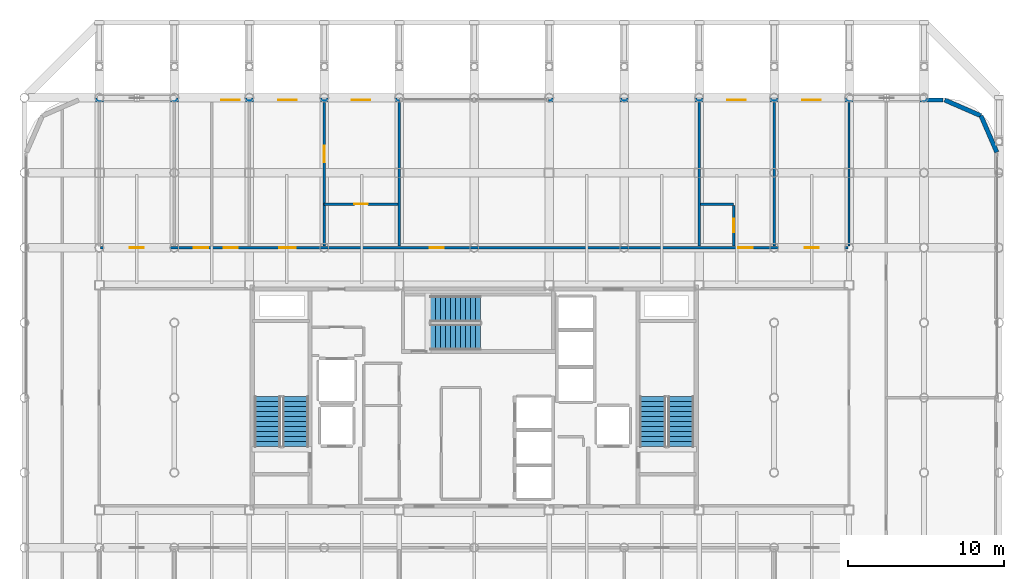
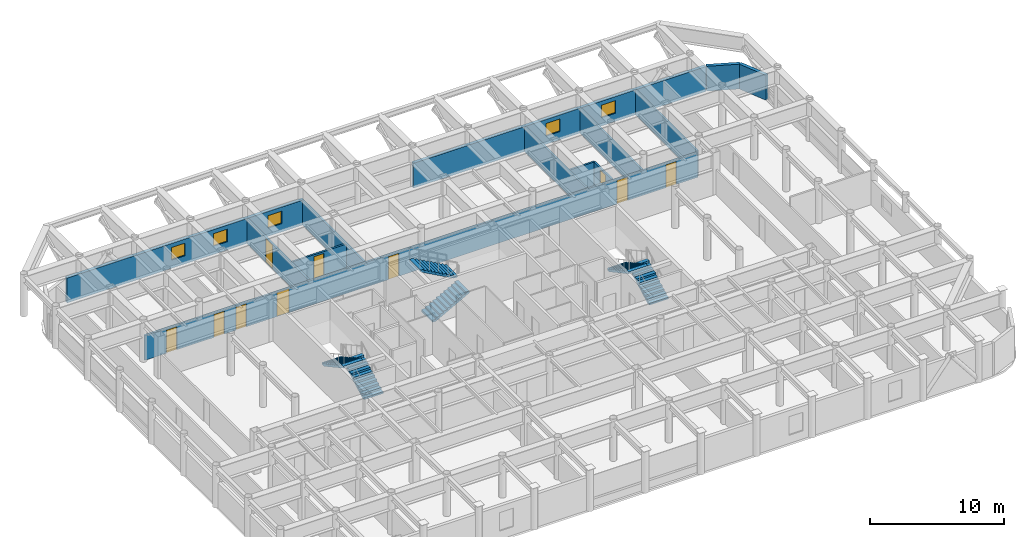
# One storey, part 23 of 24: 13 walls, 10 doors, 6 stair flights, 5 windows, 15 openings, 3 elements without a shape of their own.
"""IFC4 building model written with IfcOpenShell, lengths in metres."""

from ifc_helpers import new_model, si_unit, direction, frame, frame_2d, origin, place, context, subcontext, project, spatial, polyline, rectangle, outline, extrude, material, layer, layer_set, type_object, element, fill, aggregate, save


model = new_model("IFC4")

# Units and contexts
model_context = context("Model", 3, precision=1e-05, world=origin(), true_north=direction((0.0, 1.0)))
body_context = subcontext(model_context, "Body", "Model", "MODEL_VIEW")
ifc_project = project(units=[si_unit("LENGTHUNIT", "METRE"), si_unit("AREAUNIT", "SQUARE_METRE"), si_unit("VOLUMEUNIT", "CUBIC_METRE"), si_unit("PLANEANGLEUNIT", "RADIAN"), si_unit("MASSUNIT", "GRAM", prefix="KILO")], contexts=[model_context])

# Site, building, storey
site_placement = place(None, origin())
site = spatial("IfcSite", under=ifc_project, at=site_placement, CompositionType="ELEMENT")
building_placement = place(site_placement, origin())
building = spatial("IfcBuilding", under=site, at=building_placement, Name="Kallvorn Hotel Tower", CompositionType="ELEMENT")
storey_placement = place(building_placement, frame((0.0, 0.0, 218.449951171875)))
storey = spatial("IfcBuildingStorey", under=building, at=storey_placement, Name="L54", CompositionType="ELEMENT", Elevation=218.449951171875)

# Wall, openings, doors
ifc_material_1 = material(Name="Fire-rated double-layer acoustic gypsum drywall EI 60")
ifc_layer_1 = layer(ifc_material_1, 0.159912109375)
ifc_layer_set_1 = layer_set([ifc_layer_1], Name="WL_DEMISE_160")
wall_type_1 = type_object("IfcWallType", Name="WL_DEMISE_160", PredefinedType="PARTITIONING", material=ifc_layer_set_1)
wall_1_placement = place(storey_placement, frame((-23.919921875, 9.60009765625, 0.0), z_axis=(0.0, 0.0, 1.0), x_axis=(1.0, 0.0, 0.0)))
wall_1 = element("IfcWall", 1, at=wall_1_placement, inside=storey, type_object=wall_type_1, Name="L54 Suite 5401 Junior Living Salon Partition", PredefinedType="PARTITIONING", context=body_context, shape_type="SweptSolid", body=[
    extrude(rectangle(XDim=47.83984375, YDim=0.159912109375, at=frame_2d((23.919921875, 0.0))), origin(), (0.0, 0.0, 1.0), 2.27001953125),
])
opening_1_placement = place(wall_1_placement, frame((1.8701171875, 0.0, 0.0)))
opening_1 = element("IfcOpeningElement", 2, at=opening_1_placement, cuts=wall_1, Name="Opening SVD1", PredefinedType="OPENING", context=body_context, shape_type="SweptSolid", body=[
    extrude(rectangle(XDim=0.89990234375, YDim=2.10009765625, at=frame_2d((0.449951171875, 1.050048828125))), frame((0.0, 0.094970703125, 0.0), z_axis=(0.0, -1.0, 0.0), x_axis=(1.0, 0.0, 0.0)), (0.0, 0.0, 1.0), 0.18994140625),
])
opening_2_placement = place(wall_1_placement, frame((45.070068359375, 0.0, 0.0)))
opening_2 = element("IfcOpeningElement", 3, at=opening_2_placement, cuts=wall_1, Name="Opening SVD1", PredefinedType="OPENING", context=body_context, shape_type="SweptSolid", body=[
    extrude(rectangle(XDim=0.89990234375, YDim=2.10009765625, at=frame_2d((0.449951171875, 1.050048828125))), frame((0.0, 0.094970703125, 0.0), z_axis=(0.0, -1.0, 0.0), x_axis=(1.0, 0.0, 0.0)), (0.0, 0.0, 1.0), 0.18994140625),
])
opening_3_placement = place(wall_1_placement, frame((5.97998046875, 0.0, 0.0)))
opening_3 = element("IfcOpeningElement", 4, at=opening_3_placement, cuts=wall_1, Name="Opening SVD1", PredefinedType="OPENING", context=body_context, shape_type="SweptSolid", body=[
    extrude(rectangle(XDim=0.89990234375, YDim=2.10009765625, at=frame_2d((0.449951171875, 1.050048828125))), frame((0.0, 0.094970703125, 0.0), z_axis=(0.0, -1.0, 0.0), x_axis=(1.0, 0.0, 0.0)), (0.0, 0.0, 1.0), 0.18994140625),
])
opening_4_placement = place(wall_1_placement, frame((7.8701171875, 0.0, 0.0)))
opening_4 = element("IfcOpeningElement", 5, at=opening_4_placement, cuts=wall_1, Name="Opening SVD1", PredefinedType="OPENING", context=body_context, shape_type="SweptSolid", body=[
    extrude(rectangle(XDim=0.89990234375, YDim=2.10009765625, at=frame_2d((0.449951171875, 1.050048828125))), frame((0.0, 0.094970703125, 0.0), z_axis=(0.0, -1.0, 0.0), x_axis=(1.0, 0.0, 0.0)), (0.0, 0.0, 1.0), 0.18994140625),
])
opening_5_placement = place(wall_1_placement, frame((11.43505859375, 0.0, 0.0)))
opening_5 = element("IfcOpeningElement", 6, at=opening_5_placement, cuts=wall_1, Name="Opening GD2", PredefinedType="OPENING", context=body_context, shape_type="SweptSolid", body=[
    extrude(rectangle(XDim=1.050048828125, YDim=2.199951171875, at=frame_2d((0.52490234375, 1.10009765625))), frame((0.0, 0.094970703125, 0.0), z_axis=(0.0, -1.0, 0.0), x_axis=(1.0, 0.0, 0.0)), (0.0, 0.0, 1.0), 0.18994140625),
])
opening_6_placement = place(wall_1_placement, frame((21.070068359375, 0.0, 0.0)))
opening_6 = element("IfcOpeningElement", 7, at=opening_6_placement, cuts=wall_1, Name="Opening SVD1", PredefinedType="OPENING", context=body_context, shape_type="SweptSolid", body=[
    extrude(rectangle(XDim=0.89990234375, YDim=2.10009765625, at=frame_2d((0.449951171875, 1.050048828125))), frame((0.0, 0.094970703125, 0.0), z_axis=(0.0, -1.0, 0.0), x_axis=(1.0, 0.0, 0.0)), (0.0, 0.0, 1.0), 0.18994140625),
])
opening_7_placement = place(wall_1_placement, frame((40.830078125, 0.0, 0.0)))
opening_7 = element("IfcOpeningElement", 8, at=opening_7_placement, cuts=wall_1, Name="Opening GD1", PredefinedType="OPENING", context=body_context, shape_type="SweptSolid", body=[
    extrude(rectangle(XDim=0.919921875, YDim=2.14990234375, at=frame_2d((0.4599609375, 1.074951171875))), frame((0.0, 0.094970703125, 0.0), z_axis=(0.0, -1.0, 0.0), x_axis=(1.0, 0.0, 0.0)), (0.0, 0.0, 1.0), 0.18994140625),
])
ifc_material_2 = material(Name="Solid-core walnut veneer fire-rated timber door leaf", Category="wood")
door_type_1 = type_object("IfcDoorType", Name="DR_GUEST_920x2150", OperationType="NOTDEFINED", PredefinedType="DOOR", material=ifc_material_2)
door_1_placement = place(opening_7_placement, origin())
door_1 = element("IfcDoor", 9, at=door_1_placement, inside=storey, type_object=door_type_1, Name="L54 Suite 5402 Standard Twin Room Door", OperationType="SINGLE_SWING_LEFT", OverallHeight=2.14990234375, OverallWidth=0.919921875, PredefinedType="DOOR", context=body_context, shape_type="SweptSolid", body=[
    extrude(rectangle(XDim=0.919921875, YDim=2.14990234375, at=frame_2d((0.4599609375, 1.074951171875))), frame((0.0, 0.02490234375, 0.0), z_axis=(0.0, -1.0, 0.0), x_axis=(1.0, 0.0, 0.0)), (0.0, 0.0, 1.0), 0.050048828125),
])
fill(opening_7, door_1)
ifc_material_3 = material(Name="Galvanised painted steel fire-rated door assembly", Category="steel")
door_type_2 = type_object("IfcDoorType", Name="DR_SERV_900x2100", OperationType="NOTDEFINED", PredefinedType="DOOR", material=ifc_material_3)
door_2_placement = place(opening_1_placement, origin())
door_2 = element("IfcDoor", 10, at=door_2_placement, inside=storey, type_object=door_type_2, Name="L54 L54 High-Zone North-West Reading Salon Door", OperationType="SINGLE_SWING_RIGHT", OverallHeight=2.10009765625, OverallWidth=0.89990234375, PredefinedType="DOOR", context=body_context, shape_type="SweptSolid", body=[
    extrude(rectangle(XDim=0.89990234375, YDim=2.10009765625, at=frame_2d((0.449951171875, 1.050048828125))), frame((0.0, 0.02490234375, 0.0), z_axis=(0.0, -1.0, 0.0), x_axis=(1.0, 0.0, 0.0)), (0.0, 0.0, 1.0), 0.050048828125),
])
fill(opening_1, door_2)
door_3_placement = place(opening_2_placement, origin())
door_3 = element("IfcDoor", 11, at=door_3_placement, inside=storey, type_object=door_type_2, Name="L54 L54 High-Zone North-East Pastry Bar Door", OperationType="SINGLE_SWING_LEFT", OverallHeight=2.10009765625, OverallWidth=0.89990234375, PredefinedType="DOOR", context=body_context, shape_type="SweptSolid", body=[
    extrude(rectangle(XDim=0.89990234375, YDim=2.10009765625, at=frame_2d((0.449951171875, 1.050048828125))), frame((0.0, 0.02490234375, 0.0), z_axis=(0.0, -1.0, 0.0), x_axis=(1.0, 0.0, 0.0)), (0.0, 0.0, 1.0), 0.050048828125),
])
fill(opening_2, door_3)
door_4_placement = place(opening_3_placement, origin())
door_4 = element("IfcDoor", 12, at=door_4_placement, inside=storey, type_object=door_type_2, Name="L54 Housekeeping and Linen Room Door", OperationType="SINGLE_SWING_LEFT", OverallHeight=2.10009765625, OverallWidth=0.89990234375, PredefinedType="DOOR", context=body_context, shape_type="SweptSolid", body=[
    extrude(rectangle(XDim=0.89990234375, YDim=2.10009765625, at=frame_2d((0.449951171875, 1.050048828125))), frame((0.0, 0.02490234375, 0.0), z_axis=(0.0, -1.0, 0.0), x_axis=(1.0, 0.0, 0.0)), (0.0, 0.0, 1.0), 0.050048828125),
])
fill(opening_3, door_4)
door_5_placement = place(opening_4_placement, origin())
door_5 = element("IfcDoor", 13, at=door_5_placement, inside=storey, type_object=door_type_2, Name="L54 Guest Tea and Refreshment Bar Door", OperationType="SINGLE_SWING_RIGHT", OverallHeight=2.10009765625, OverallWidth=0.89990234375, PredefinedType="DOOR", context=body_context, shape_type="SweptSolid", body=[
    extrude(rectangle(XDim=0.89990234375, YDim=2.10009765625, at=frame_2d((0.449951171875, 1.050048828125))), frame((0.0, 0.02490234375, 0.0), z_axis=(0.0, -1.0, 0.0), x_axis=(1.0, 0.0, 0.0)), (0.0, 0.0, 1.0), 0.050048828125),
])
fill(opening_4, door_5)
door_6_placement = place(opening_6_placement, origin())
door_6 = element("IfcDoor", 14, at=door_6_placement, inside=storey, type_object=door_type_2, Name="L54 L54 Panorama Banquet Event Hall 3 Door", OperationType="SINGLE_SWING_RIGHT", OverallHeight=2.10009765625, OverallWidth=0.89990234375, PredefinedType="DOOR", context=body_context, shape_type="SweptSolid", body=[
    extrude(rectangle(XDim=0.89990234375, YDim=2.10009765625, at=frame_2d((0.449951171875, 1.050048828125))), frame((0.0, 0.02490234375, 0.0), z_axis=(0.0, -1.0, 0.0), x_axis=(1.0, 0.0, 0.0)), (0.0, 0.0, 1.0), 0.050048828125),
])
fill(opening_6, door_6)
ifc_material_4 = material(Name="Solid-core walnut veneer fire-rated timber door leaf", Category="wood")
door_type_3 = type_object("IfcDoorType", Name="DR_SUITE_1050x2200", OperationType="NOTDEFINED", PredefinedType="DOOR", material=ifc_material_4)
door_7_placement = place(opening_5_placement, origin())
door_7 = element("IfcDoor", 15, at=door_7_placement, inside=storey, type_object=door_type_3, Name="L54 Suite 5401 Junior Living Salon Door", OperationType="SINGLE_SWING_LEFT", OverallHeight=2.199951171875, OverallWidth=1.050048828125, PredefinedType="DOOR", context=body_context, shape_type="SweptSolid", body=[
    extrude(rectangle(XDim=1.050048828125, YDim=2.199951171875, at=frame_2d((0.52490234375, 1.10009765625))), frame((0.0, 0.02490234375, 0.0), z_axis=(0.0, -1.0, 0.0), x_axis=(1.0, 0.0, 0.0)), (0.0, 0.0, 1.0), 0.050048828125),
])
fill(opening_5, door_7)

# Wall, opening, door
wall_2_placement = place(storey_placement, frame((-9.60009765625, 12.39501953125, 0.0), z_axis=(0.0, 0.0, 1.0), x_axis=(1.0, 0.0, 0.0)))
wall_2 = element("IfcWall", 16, at=wall_2_placement, inside=storey, type_object=wall_type_1, Name="L54 Suite 5401 Junior Bedroom Partition", PredefinedType="PARTITIONING", context=body_context, shape_type="SweptSolid", body=[
    extrude(rectangle(XDim=4.72021484375, YDim=0.159912109375, at=frame_2d((2.360107421875, 0.0))), origin(), (0.0, 0.0, 1.0), 2.27001953125),
])
opening_8_placement = place(wall_2_placement, frame((1.929931640625, 0.0, 0.0)))
opening_8 = element("IfcOpeningElement", 17, at=opening_8_placement, cuts=wall_2, Name="Opening BD-I", PredefinedType="OPENING", context=body_context, shape_type="SweptSolid", body=[
    extrude(rectangle(XDim=0.860107421875, YDim=2.10009765625, at=frame_2d((0.43017578125, 1.050048828125))), frame((0.0, 0.094970703125, 0.0), z_axis=(0.0, -1.0, 0.0), x_axis=(1.0, 0.0, 0.0)), (0.0, 0.0, 1.0), 0.18994140625),
])
ifc_material_5 = material(Name="Solid-core walnut veneer fire-rated timber door leaf", Category="wood")
door_type_4 = type_object("IfcDoorType", Name="DR_BATH_860x2100", OperationType="NOTDEFINED", PredefinedType="DOOR", material=ifc_material_5)
door_8_placement = place(opening_8_placement, origin())
door_8 = element("IfcDoor", 18, at=door_8_placement, inside=storey, type_object=door_type_4, Name="L54 Suite 5401 En-Suite Bathroom Door", OperationType="SINGLE_SWING_LEFT", OverallHeight=2.10009765625, OverallWidth=0.860107421875, PredefinedType="DOOR", context=body_context, shape_type="SweptSolid", body=[
    extrude(rectangle(XDim=0.860107421875, YDim=2.10009765625, at=frame_2d((0.43017578125, 1.050048828125))), frame((0.0, 0.02490234375, 0.0), z_axis=(0.0, -1.0, 0.0), x_axis=(1.0, 0.0, 0.0)), (0.0, 0.0, 1.0), 0.050048828125),
])
fill(opening_8, door_8)

# Wall
wall_3_placement = place(storey_placement, frame((14.47998046875, 12.39501953125, 0.0), z_axis=(0.0, 0.0, 1.0), x_axis=(1.0, 0.0, 0.0)))
element("IfcWall", 19, at=wall_3_placement, inside=storey, type_object=wall_type_1, Name="L54 Suite 5402 Standard Twin Room Partition", PredefinedType="PARTITIONING", context=body_context, shape_type="SweptSolid", body=[
    extrude(rectangle(XDim=2.130126953125, YDim=0.159912109375, at=frame_2d((1.06494140625, 0.0))), origin(), (0.0, 0.0, 1.0), 2.27001953125),
])

# Wall, opening, door
wall_4_placement = place(storey_placement, frame((-9.60009765625, 9.719970703125, 0.0), z_axis=(0.0, 0.0, 1.0), x_axis=(0.0, 1.0, 0.0)))
wall_4 = element("IfcWall", 20, at=wall_4_placement, inside=storey, type_object=wall_type_1, Name="L54 Suite 5401 Junior Living Salon Partition", PredefinedType="PARTITIONING", context=body_context, shape_type="SweptSolid", body=[
    extrude(rectangle(XDim=9.18994140625, YDim=0.159912109375, at=frame_2d((4.594970703125, 0.0))), origin(), (0.0, 0.0, 1.0), 2.27001953125),
])
opening_9_placement = place(wall_4_placement, frame((5.364990234375, 0.0, 0.0)))
opening_9 = element("IfcOpeningElement", 21, at=opening_9_placement, cuts=wall_4, Name="Opening GD2", PredefinedType="OPENING", context=body_context, shape_type="SweptSolid", body=[
    extrude(rectangle(XDim=1.050048828125, YDim=2.199951171875, at=frame_2d((0.52490234375, 1.10009765625))), frame((0.0, 0.094970703125, 0.0), z_axis=(0.0, -1.0, 0.0), x_axis=(1.0, 0.0, 0.0)), (0.0, 0.0, 1.0), 0.18994140625),
])
door_9_placement = place(opening_9_placement, origin())
door_9 = element("IfcDoor", 22, at=door_9_placement, inside=storey, type_object=door_type_3, Name="L54 Suite 5401 Junior Bedroom Door", OperationType="SINGLE_SWING_RIGHT", OverallHeight=2.199951171875, OverallWidth=1.050048828125, PredefinedType="DOOR", context=body_context, shape_type="SweptSolid", body=[
    extrude(rectangle(XDim=1.050048828125, YDim=2.199951171875, at=frame_2d((0.52490234375, 1.10009765625))), frame((0.0, 0.02490234375, 0.0), z_axis=(0.0, -1.0, 0.0), x_axis=(1.0, 0.0, 0.0)), (0.0, 0.0, 1.0), 0.050048828125),
])
fill(opening_9, door_9)

# Walls
for number, where, z_axis, x_axis, name in (
    (23, (-4.800048828125, 9.719970703125, 0.0), (0.0, 0.0, 1.0), (0.0, 1.0, 0.0), "L54 Suite 5401 Junior Bedroom Partition"),
    (24, (14.39990234375, 9.719970703125, 0.0), (0.0, 0.0, 1.0), (0.0, 1.0, 0.0), "L54 Suite 5402 Standard Twin Room Partition"),
):
    element("IfcWall", number, at=place(storey_placement, frame(where, z_axis=z_axis, x_axis=x_axis)), inside=storey, type_object=wall_type_1, Name=name, PredefinedType="PARTITIONING", context=body_context, shape_type="SweptSolid", body=[
        extrude(rectangle(XDim=9.18994140625, YDim=0.159912109375, at=frame_2d((4.594970703125, 0.0))), origin(), (0.0, 0.0, 1.0), 2.27001953125),
    ])

# Wall, opening, door
wall_5_placement = place(storey_placement, frame((16.610107421875, 9.719970703125, 0.0), z_axis=(0.0, 0.0, 1.0), x_axis=(0.0, 1.0, 0.0)))
wall_5 = element("IfcWall", 25, at=wall_5_placement, inside=storey, type_object=wall_type_1, Name="L54 Suite 5402 Standard Twin Room Partition", PredefinedType="PARTITIONING", context=body_context, shape_type="SweptSolid", body=[
    extrude(rectangle(XDim=2.590087890625, YDim=0.159912109375, at=frame_2d((1.294921875, 0.0))), origin(), (0.0, 0.0, 1.0), 2.27001953125),
])
opening_10_placement = place(wall_5_placement, frame((0.8701171875, 0.0, 0.0)))
opening_10 = element("IfcOpeningElement", 26, at=opening_10_placement, cuts=wall_5, Name="Opening BD-I", PredefinedType="OPENING", context=body_context, shape_type="SweptSolid", body=[
    extrude(rectangle(XDim=0.860107421875, YDim=2.10009765625, at=frame_2d((0.43017578125, 1.050048828125))), frame((0.0, 0.094970703125, 0.0), z_axis=(0.0, -1.0, 0.0), x_axis=(1.0, 0.0, 0.0)), (0.0, 0.0, 1.0), 0.18994140625),
])
door_10_placement = place(opening_10_placement, origin())
door_10 = element("IfcDoor", 27, at=door_10_placement, inside=storey, type_object=door_type_4, Name="L54 Suite 5402 En-Suite Bathroom Door", OperationType="SINGLE_SWING_RIGHT", OverallHeight=2.10009765625, OverallWidth=0.860107421875, PredefinedType="DOOR", context=body_context, shape_type="SweptSolid", body=[
    extrude(rectangle(XDim=0.860107421875, YDim=2.10009765625, at=frame_2d((0.43017578125, 1.050048828125))), frame((0.0, 0.02490234375, 0.0), z_axis=(0.0, -1.0, 0.0), x_axis=(1.0, 0.0, 0.0)), (0.0, 0.0, 1.0), 0.050048828125),
])
fill(opening_10, door_10)

# Walls
wall_6_placement = place(storey_placement, frame((19.199951171875, 9.719970703125, 0.0), z_axis=(0.0, 0.0, 1.0), x_axis=(0.0, 1.0, 0.0)))
element("IfcWall", 28, at=wall_6_placement, inside=storey, type_object=wall_type_1, Name="L54 Suite 5402 Standard Twin Room Partition", PredefinedType="PARTITIONING", context=body_context, shape_type="SweptSolid", body=[
    extrude(rectangle(XDim=9.18994140625, YDim=0.159912109375, at=frame_2d((4.594970703125, 0.0))), origin(), (0.0, 0.0, 1.0), 2.27001953125),
])
ifc_material_6 = material(Name="Precast basalt-clad insulated concrete wall C40/50", Category="masonry")
ifc_layer_2 = layer(ifc_material_6, 0.280029296875)
ifc_layer_set_2 = layer_set([ifc_layer_2], Name="WL_EXT_LOGGIA_280")
wall_type_2 = type_object("IfcWallType", Name="WL_EXT_LOGGIA_280", PredefinedType="SOLIDWALL", material=ifc_layer_set_2)
wall_7_placement = place(storey_placement, frame((33.4580078125, 15.720703125, 0.0), z_axis=(0.0, 0.0, 1.0), x_axis=(-0.398792985289, 0.917040977756, 0.0)))
element("IfcWall", 29, at=wall_7_placement, inside=storey, type_object=wall_type_2, Name="L54 Rounded Corner Exterior Wall NE1", PredefinedType="SOLIDWALL", context=body_context, shape_type="SweptSolid", body=[
    extrude(rectangle(XDim=2.536376953125, YDim=0.280029296875, at=frame_2d((1.26806640625, 0.0))), origin(), (0.0, 0.0, 1.0), 2.27001953125),
])
wall_8_placement = place(storey_placement, frame((32.446533203125, 18.046630859375, 0.0), z_axis=(0.0, 0.0, 1.0), x_axis=(-0.917060872934, 0.398747232384, 0.0)))
element("IfcWall", 30, at=wall_8_placement, inside=storey, type_object=wall_type_2, Name="L54 Rounded Corner Exterior Wall NE2", PredefinedType="SOLIDWALL", context=body_context, shape_type="SweptSolid", body=[
    extrude(rectangle(XDim=2.5361328125, YDim=0.280029296875, at=frame_2d((1.26806640625, 0.0))), origin(), (0.0, 0.0, 1.0), 2.27001953125),
])

# Wall, openings, windows
wall_9_placement = place(storey_placement, frame((-25.199951171875, 19.06005859375, 0.0), z_axis=(0.0, 0.0, 1.0), x_axis=(1.0, 0.0, 0.0)))
wall_9 = element("IfcWall", 31, at=wall_9_placement, inside=storey, type_object=wall_type_2, Name="L54 Exterior Envelope Wall EW-L54-NW", PredefinedType="SOLIDWALL", context=body_context, shape_type="SweptSolid", body=[
    extrude(rectangle(XDim=20.449951171875, YDim=0.280029296875, at=frame_2d((10.22509765625, 0.0))), origin(), (0.0, 0.0, 1.0), 2.27001953125),
])
opening_11_placement = place(wall_9_placement, frame((9.0, 0.0, 0.75)))
opening_11 = element("IfcOpeningElement", 32, at=opening_11_placement, cuts=wall_9, Name="Opening W06A", PredefinedType="OPENING", context=body_context, shape_type="SweptSolid", body=[
    extrude(rectangle(XDim=1.199951171875, YDim=1.14990234375, at=frame_2d((0.60009765625, 0.574951171875))), frame((0.0, 0.155029296875, 0.0), z_axis=(0.0, -1.0, 0.0), x_axis=(1.0, 0.0, 0.0)), (0.0, 0.0, 1.0), 0.31005859375),
])
opening_12_placement = place(wall_9_placement, frame((12.639892578125, 0.0, 0.75)))
opening_12 = element("IfcOpeningElement", 33, at=opening_12_placement, cuts=wall_9, Name="Opening W06A", PredefinedType="OPENING", context=body_context, shape_type="SweptSolid", body=[
    extrude(rectangle(XDim=1.199951171875, YDim=1.14990234375, at=frame_2d((0.60009765625, 0.574951171875))), frame((0.0, 0.155029296875, 0.0), z_axis=(0.0, -1.0, 0.0), x_axis=(1.0, 0.0, 0.0)), (0.0, 0.0, 1.0), 0.31005859375),
])
opening_13_placement = place(wall_9_placement, frame((17.360107421875, 0.0, 0.75)))
opening_13 = element("IfcOpeningElement", 34, at=opening_13_placement, cuts=wall_9, Name="Opening W06A", PredefinedType="OPENING", context=body_context, shape_type="SweptSolid", body=[
    extrude(rectangle(XDim=1.199951171875, YDim=1.14990234375, at=frame_2d((0.60009765625, 0.574951171875))), frame((0.0, 0.155029296875, 0.0), z_axis=(0.0, -1.0, 0.0), x_axis=(1.0, 0.0, 0.0)), (0.0, 0.0, 1.0), 0.31005859375),
])
ifc_material_7 = material(Name="Triple-glazed low-e acoustic solar-control dark glass", Category="glass")
window_type = type_object("IfcWindowType", Name="WN_HTL_1200x1150", PartitioningType="SINGLE_PANEL", PredefinedType="WINDOW", material=ifc_material_7)
window_1_placement = place(opening_11_placement, origin())
window_1 = element("IfcWindow", 35, at=window_1_placement, inside=storey, type_object=window_type, Name="L54 Guestroom Exterior Window 06", OverallHeight=1.14990234375, OverallWidth=1.199951171875, PartitioningType="SINGLE_PANEL", PredefinedType="WINDOW", context=body_context, shape_type="SweptSolid", body=[
    extrude(rectangle(XDim=1.199951171875, YDim=1.14990234375, at=frame_2d((0.60009765625, 0.574951171875))), frame((0.0, 0.030029296875, 0.0), z_axis=(0.0, -1.0, 0.0), x_axis=(1.0, 0.0, 0.0)), (0.0, 0.0, 1.0), 0.06005859375),
])
fill(opening_11, window_1)
window_2_placement = place(opening_12_placement, origin())
window_2 = element("IfcWindow", 36, at=window_2_placement, inside=storey, type_object=window_type, Name="L54 Guestroom Exterior Window 07", OverallHeight=1.14990234375, OverallWidth=1.199951171875, PartitioningType="SINGLE_PANEL", PredefinedType="WINDOW", context=body_context, shape_type="SweptSolid", body=[
    extrude(rectangle(XDim=1.199951171875, YDim=1.14990234375, at=frame_2d((0.60009765625, 0.574951171875))), frame((0.0, 0.030029296875, 0.0), z_axis=(0.0, -1.0, 0.0), x_axis=(1.0, 0.0, 0.0)), (0.0, 0.0, 1.0), 0.06005859375),
])
fill(opening_12, window_2)
window_3_placement = place(opening_13_placement, origin())
window_3 = element("IfcWindow", 37, at=window_3_placement, inside=storey, type_object=window_type, Name="L54 Guestroom Exterior Window 08", OverallHeight=1.14990234375, OverallWidth=1.199951171875, PartitioningType="SINGLE_PANEL", PredefinedType="WINDOW", context=body_context, shape_type="SweptSolid", body=[
    extrude(rectangle(XDim=1.199951171875, YDim=1.14990234375, at=frame_2d((0.60009765625, 0.574951171875))), frame((0.0, 0.030029296875, 0.0), z_axis=(0.0, -1.0, 0.0), x_axis=(1.0, 0.0, 0.0)), (0.0, 0.0, 1.0), 0.06005859375),
])
fill(opening_13, window_3)

wall_10_placement = place(storey_placement, frame((4.75, 19.06005859375, 0.0), z_axis=(0.0, 0.0, 1.0), x_axis=(1.0, 0.0, 0.0)))
wall_10 = element("IfcWall", 38, at=wall_10_placement, inside=storey, type_object=wall_type_2, Name="L54 Exterior Envelope Wall EW-L54-NE", PredefinedType="SOLIDWALL", context=body_context, shape_type="SweptSolid", body=[
    extrude(rectangle(XDim=25.25, YDim=0.280029296875, at=frame_2d((12.625, 0.0))), origin(), (0.0, 0.0, 1.0), 2.27001953125),
])
opening_14_placement = place(wall_10_placement, frame((16.25, 0.0, 0.75)))
opening_14 = element("IfcOpeningElement", 39, at=opening_14_placement, cuts=wall_10, Name="Opening W06A", PredefinedType="OPENING", context=body_context, shape_type="SweptSolid", body=[
    extrude(rectangle(XDim=1.199951171875, YDim=1.14990234375, at=frame_2d((0.60009765625, 0.574951171875))), frame((0.0, 0.155029296875, 0.0), z_axis=(0.0, -1.0, 0.0), x_axis=(1.0, 0.0, 0.0)), (0.0, 0.0, 1.0), 0.31005859375),
])
opening_15_placement = place(wall_10_placement, frame((11.449951171875, 0.0, 0.75)))
opening_15 = element("IfcOpeningElement", 40, at=opening_15_placement, cuts=wall_10, Name="Opening W06A", PredefinedType="OPENING", context=body_context, shape_type="SweptSolid", body=[
    extrude(rectangle(XDim=1.199951171875, YDim=1.14990234375, at=frame_2d((0.60009765625, 0.574951171875))), frame((0.0, 0.155029296875, 0.0), z_axis=(0.0, -1.0, 0.0), x_axis=(1.0, 0.0, 0.0)), (0.0, 0.0, 1.0), 0.31005859375),
])
window_4_placement = place(opening_14_placement, origin())
window_4 = element("IfcWindow", 41, at=window_4_placement, inside=storey, type_object=window_type, Name="L54 Guestroom Exterior Window 02", OverallHeight=1.14990234375, OverallWidth=1.199951171875, PartitioningType="SINGLE_PANEL", PredefinedType="WINDOW", context=body_context, shape_type="SweptSolid", body=[
    extrude(rectangle(XDim=1.199951171875, YDim=1.14990234375, at=frame_2d((0.60009765625, 0.574951171875))), frame((0.0, 0.030029296875, 0.0), z_axis=(0.0, -1.0, 0.0), x_axis=(1.0, 0.0, 0.0)), (0.0, 0.0, 1.0), 0.06005859375),
])
fill(opening_14, window_4)
window_5_placement = place(opening_15_placement, origin())
window_5 = element("IfcWindow", 42, at=window_5_placement, inside=storey, type_object=window_type, Name="L54 Guestroom Exterior Window 09", OverallHeight=1.14990234375, OverallWidth=1.199951171875, PartitioningType="SINGLE_PANEL", PredefinedType="WINDOW", context=body_context, shape_type="SweptSolid", body=[
    extrude(rectangle(XDim=1.199951171875, YDim=1.14990234375, at=frame_2d((0.60009765625, 0.574951171875))), frame((0.0, 0.030029296875, 0.0), z_axis=(0.0, -1.0, 0.0), x_axis=(1.0, 0.0, 0.0)), (0.0, 0.0, 1.0), 0.06005859375),
])
fill(opening_15, window_5)

# Wall
ifc_material_8 = material(Name="Fire-rated double-layer acoustic gypsum drywall EI 60")
ifc_layer_3 = layer(ifc_material_8, 0.14990234375)
ifc_layer_set_3 = layer_set([ifc_layer_3], Name="WL_PART_150")
wall_type_3 = type_object("IfcWallType", Name="WL_PART_150", PredefinedType="PARTITIONING", material=ifc_layer_set_3)
wall_11_placement = place(storey_placement, frame((24.0, 9.719970703125, 0.0), z_axis=(0.0, 0.0, 1.0), x_axis=(0.0, 1.0, 0.0)))
element("IfcWall", 43, at=wall_11_placement, inside=storey, type_object=wall_type_3, Name="L54 L54 High-Zone North-East Pastry Bar Partition", PredefinedType="PARTITIONING", context=body_context, shape_type="SweptSolid", body=[
    extrude(rectangle(XDim=9.18994140625, YDim=0.14990234375, at=frame_2d((4.594970703125, 0.0))), origin(), (0.0, 0.0, 1.0), 2.27001953125),
])

# Stair, stair flights
ifc_material_9 = material(Name="Precast concrete C40/50", Category="concrete")
stair_type = type_object("IfcStairType", Name="STR_CORE_DOGLEG", PredefinedType="HALF_TURN_STAIR", material=ifc_material_9)
stair_1_placement = place(storey_placement, origin())
stair_1 = element("IfcStair", 44, at=stair_1_placement, inside=storey, type_object=stair_type, Name="L54 Exit stair ST1", PredefinedType="HALF_TURN_STAIR")
ifc_material_10 = material(Name="Precast concrete C40/50", Category="concrete")
stair_flight_type = type_object("IfcStairFlightType", Name="FLT_CORE_1660", PredefinedType="STRAIGHT", material=ifc_material_10)
stair_flight_1_placement = place(storey_placement, frame((-11.429931640625, -3.139892578125, 0.0), z_axis=(0.0, 0.0, 1.0), x_axis=(0.0, 1.0, 0.0)))
stair_flight_1 = element("IfcStairFlight", 45, at=stair_flight_1_placement, type_object=stair_flight_type, Name="ST1 flight 1", NumberOfRisers=11, NumberOfTreads=10, PredefinedType="STRAIGHT", RiserHeight=0.175, TreadLength=0.32, context=body_context, shape_type="SweptSolid", body=[
    extrude(outline(polyline([(0.0, 0.0), (0.0, 0.175048828125), (0.320068359375, 0.175048828125), (0.320068359375, 0.35009765625), (0.639892578125, 0.35009765625), (0.639892578125, 0.52490234375), (0.9599609375, 0.52490234375), (0.9599609375, 0.699951171875), (1.280029296875, 0.699951171875), (1.280029296875, 0.875), (1.60009765625, 0.875), (1.60009765625, 1.050048828125), (1.919921875, 1.050048828125), (1.919921875, 1.22509765625), (2.239990234375, 1.22509765625), (2.239990234375, 1.39990234375), (2.56005859375, 1.39990234375), (2.56005859375, 1.574951171875), (2.8798828125, 1.574951171875), (2.8798828125, 1.75), (3.199951171875, 1.75), (3.199951171875, 1.925048828125), (3.199951171875, 1.5791015625), (0.3125, 0.0), (0.0, 0.0)])), frame((0.0, 0.830078125, 0.0), z_axis=(0.0, -1.0, 0.0), x_axis=(1.0, 0.0, 0.0)), (0.0, 0.0, 1.0), 1.659912109375),
])
stair_flight_2_placement = place(storey_placement, frame((-13.22998046875, 0.06005859375, 1.925048828125), z_axis=(0.0, 0.0, 1.0), x_axis=(0.0, -1.0, 0.0)))
stair_flight_2 = element("IfcStairFlight", 46, at=stair_flight_2_placement, type_object=stair_flight_type, Name="ST1 flight 2", NumberOfRisers=11, NumberOfTreads=10, PredefinedType="STRAIGHT", RiserHeight=0.175, TreadLength=0.32, context=body_context, shape_type="SweptSolid", body=[
    extrude(outline(polyline([(0.0, 0.0), (0.0, 0.175048828125), (0.320068359375, 0.175048828125), (0.320068359375, 0.35009765625), (0.639892578125, 0.35009765625), (0.639892578125, 0.52490234375), (0.9599609375, 0.52490234375), (0.9599609375, 0.699951171875), (1.280029296875, 0.699951171875), (1.280029296875, 0.875), (1.60009765625, 0.875), (1.60009765625, 1.050048828125), (1.919921875, 1.050048828125), (1.919921875, 1.22509765625), (2.239990234375, 1.22509765625), (2.239990234375, 1.39990234375), (2.56005859375, 1.39990234375), (2.56005859375, 1.574951171875), (2.8798828125, 1.574951171875), (2.8798828125, 1.75), (3.199951171875, 1.75), (3.199951171875, 1.925048828125), (3.199951171875, 1.5791015625), (0.3125, 0.0), (0.0, 0.0)])), frame((0.0, 0.830078125, 0.0), z_axis=(0.0, -1.0, 0.0), x_axis=(1.0, 0.0, 0.0)), (0.0, 0.0, 1.0), 1.659912109375),
])
aggregate(stair_1, [stair_flight_1, stair_flight_2])

stair_2_placement = place(storey_placement, origin())
stair_2 = element("IfcStair", 47, at=stair_2_placement, inside=storey, type_object=stair_type, Name="L54 Exit stair ST2", PredefinedType="HALF_TURN_STAIR")
stair_flight_3_placement = place(storey_placement, frame((13.22998046875, -3.139892578125, 0.0), z_axis=(0.0, 0.0, 1.0), x_axis=(0.0, 1.0, 0.0)))
stair_flight_3 = element("IfcStairFlight", 48, at=stair_flight_3_placement, type_object=stair_flight_type, Name="ST2 flight 1", NumberOfRisers=11, NumberOfTreads=10, PredefinedType="STRAIGHT", RiserHeight=0.175, TreadLength=0.32, context=body_context, shape_type="SweptSolid", body=[
    extrude(outline(polyline([(0.0, 0.0), (0.0, 0.175048828125), (0.320068359375, 0.175048828125), (0.320068359375, 0.35009765625), (0.639892578125, 0.35009765625), (0.639892578125, 0.52490234375), (0.9599609375, 0.52490234375), (0.9599609375, 0.699951171875), (1.280029296875, 0.699951171875), (1.280029296875, 0.875), (1.60009765625, 0.875), (1.60009765625, 1.050048828125), (1.919921875, 1.050048828125), (1.919921875, 1.22509765625), (2.239990234375, 1.22509765625), (2.239990234375, 1.39990234375), (2.56005859375, 1.39990234375), (2.56005859375, 1.574951171875), (2.8798828125, 1.574951171875), (2.8798828125, 1.75), (3.199951171875, 1.75), (3.199951171875, 1.925048828125), (3.199951171875, 1.5791015625), (0.3125, 0.0), (0.0, 0.0)])), frame((0.0, 0.830078125, 0.0), z_axis=(0.0, -1.0, 0.0), x_axis=(1.0, 0.0, 0.0)), (0.0, 0.0, 1.0), 1.659912109375),
])
stair_flight_4_placement = place(storey_placement, frame((11.429931640625, 0.06005859375, 1.925048828125), z_axis=(0.0, 0.0, 1.0), x_axis=(0.0, -1.0, 0.0)))
stair_flight_4 = element("IfcStairFlight", 49, at=stair_flight_4_placement, type_object=stair_flight_type, Name="ST2 flight 2", NumberOfRisers=11, NumberOfTreads=10, PredefinedType="STRAIGHT", RiserHeight=0.175, TreadLength=0.32, context=body_context, shape_type="SweptSolid", body=[
    extrude(outline(polyline([(0.0, 0.0), (0.0, 0.175048828125), (0.320068359375, 0.175048828125), (0.320068359375, 0.35009765625), (0.639892578125, 0.35009765625), (0.639892578125, 0.52490234375), (0.9599609375, 0.52490234375), (0.9599609375, 0.699951171875), (1.280029296875, 0.699951171875), (1.280029296875, 0.875), (1.60009765625, 0.875), (1.60009765625, 1.050048828125), (1.919921875, 1.050048828125), (1.919921875, 1.22509765625), (2.239990234375, 1.22509765625), (2.239990234375, 1.39990234375), (2.56005859375, 1.39990234375), (2.56005859375, 1.574951171875), (2.8798828125, 1.574951171875), (2.8798828125, 1.75), (3.199951171875, 1.75), (3.199951171875, 1.925048828125), (3.199951171875, 1.5791015625), (0.3125, 0.0), (0.0, 0.0)])), frame((0.0, 0.830078125, 0.0), z_axis=(0.0, -1.0, 0.0), x_axis=(1.0, 0.0, 0.0)), (0.0, 0.0, 1.0), 1.659912109375),
])
aggregate(stair_2, [stair_flight_3, stair_flight_4])

stair_3_placement = place(storey_placement, origin())
stair_3 = element("IfcStair", 50, at=stair_3_placement, inside=storey, type_object=stair_type, Name="L54 Exit stair ST3", PredefinedType="HALF_TURN_STAIR")
stair_flight_5_placement = place(storey_placement, frame((-2.7900390625, 3.8798828125, 0.0), z_axis=(0.0, 0.0, 1.0), x_axis=(1.0, 0.0, 0.0)))
stair_flight_5 = element("IfcStairFlight", 51, at=stair_flight_5_placement, type_object=stair_flight_type, Name="ST3 flight 1", NumberOfRisers=11, NumberOfTreads=10, PredefinedType="STRAIGHT", RiserHeight=0.175, TreadLength=0.32, context=body_context, shape_type="SweptSolid", body=[
    extrude(outline(polyline([(0.0, 0.0), (0.0, 0.175048828125), (0.320068359375, 0.175048828125), (0.320068359375, 0.35009765625), (0.639892578125, 0.35009765625), (0.639892578125, 0.52490234375), (0.9599609375, 0.52490234375), (0.9599609375, 0.699951171875), (1.280029296875, 0.699951171875), (1.280029296875, 0.875), (1.60009765625, 0.875), (1.60009765625, 1.050048828125), (1.919921875, 1.050048828125), (1.919921875, 1.22509765625), (2.239990234375, 1.22509765625), (2.239990234375, 1.39990234375), (2.56005859375, 1.39990234375), (2.56005859375, 1.574951171875), (2.8798828125, 1.574951171875), (2.8798828125, 1.75), (3.199951171875, 1.75), (3.199951171875, 1.925048828125), (3.199951171875, 1.5791015625), (0.3125, 0.0), (0.0, 0.0)])), frame((0.0, 0.830078125, 0.0), z_axis=(0.0, -1.0, 0.0), x_axis=(1.0, 0.0, 0.0)), (0.0, 0.0, 1.0), 1.659912109375),
])
stair_flight_6_placement = place(storey_placement, frame((0.409912109375, 5.679931640625, 1.925048828125), z_axis=(0.0, 0.0, 1.0), x_axis=(-1.0, 0.0, 0.0)))
stair_flight_6 = element("IfcStairFlight", 52, at=stair_flight_6_placement, type_object=stair_flight_type, Name="ST3 flight 2", NumberOfRisers=11, NumberOfTreads=10, PredefinedType="STRAIGHT", RiserHeight=0.175, TreadLength=0.32, context=body_context, shape_type="SweptSolid", body=[
    extrude(outline(polyline([(0.0, 0.0), (0.0, 0.175048828125), (0.320068359375, 0.175048828125), (0.320068359375, 0.35009765625), (0.639892578125, 0.35009765625), (0.639892578125, 0.52490234375), (0.9599609375, 0.52490234375), (0.9599609375, 0.699951171875), (1.280029296875, 0.699951171875), (1.280029296875, 0.875), (1.60009765625, 0.875), (1.60009765625, 1.050048828125), (1.919921875, 1.050048828125), (1.919921875, 1.22509765625), (2.239990234375, 1.22509765625), (2.239990234375, 1.39990234375), (2.56005859375, 1.39990234375), (2.56005859375, 1.574951171875), (2.8798828125, 1.574951171875), (2.8798828125, 1.75), (3.199951171875, 1.75), (3.199951171875, 1.925048828125), (3.199951171875, 1.5791015625), (0.3125, 0.0), (0.0, 0.0)])), frame((0.0, 0.830078125, 0.0), z_axis=(0.0, -1.0, 0.0), x_axis=(1.0, 0.0, 0.0)), (0.0, 0.0, 1.0), 1.659912109375),
])
aggregate(stair_3, [stair_flight_5, stair_flight_6])

save(model, "model.ifc")
